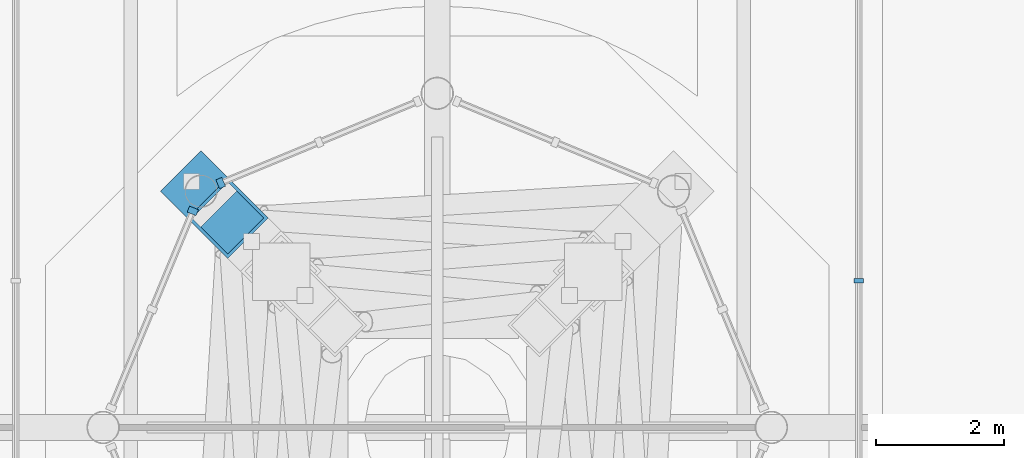
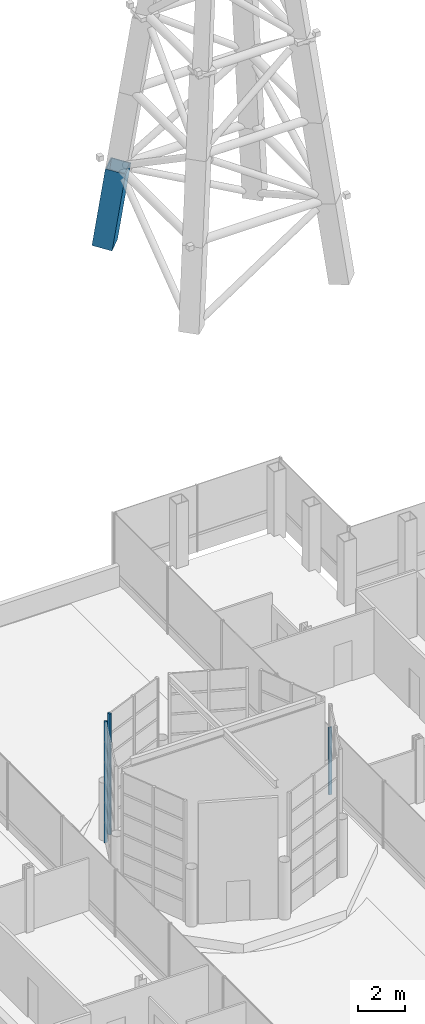
# One storey, part 16 of 32: 4 members, 3 elements without a shape of their own.
"""IFC4 building model written with IfcOpenShell, lengths in metres."""

from ifc_helpers import new_model, si_unit, direction, frame, origin, origin_2d, place, context, subcontext, project, spatial, rectangle, hollow_rectangle, extrude, material, material_profile, profile_set, type_object, element, aggregate, save


model = new_model("IFC4")

# Units and contexts
model_context = context("Model", 3, precision=1e-05, world=origin(), true_north=direction((0.0, 1.0)))
body_context = subcontext(model_context, "Body", "Model", "MODEL_VIEW")
ifc_project = project(units=[si_unit("LENGTHUNIT", "METRE"), si_unit("AREAUNIT", "SQUARE_METRE"), si_unit("VOLUMEUNIT", "CUBIC_METRE"), si_unit("PLANEANGLEUNIT", "RADIAN"), si_unit("MASSUNIT", "GRAM", prefix="KILO")], contexts=[model_context])

# Site, building, storey
site_placement = place(None, origin())
site = spatial("IfcSite", under=ifc_project, at=site_placement, CompositionType="ELEMENT")
building_placement = place(site_placement, origin())
building = spatial("IfcBuilding", under=site, at=building_placement, Name="Cobrizo Arcos Hotel Tower", CompositionType="ELEMENT")
storey_placement = place(building_placement, frame((0.0, 0.0, 265.5)))
storey = spatial("IfcBuildingStorey", under=building, at=storey_placement, Name="L70", CompositionType="ELEMENT", Elevation=265.5)

# Curtain wall, member
ifc_material_1 = material(Name="Aluminium 6063-T6 anodised bronze", Category="aluminium")
curtain_wall_type_1 = type_object("IfcCurtainWallType", Name="CW-C arch infill and crown glazing", PredefinedType="NOTDEFINED", material=ifc_material_1)
curtain_wall_1_placement = place(storey_placement, origin())
curtain_wall_1 = element("IfcCurtainWall", 1, at=curtain_wall_1_placement, inside=storey, type_object=curtain_wall_type_1, Name="CW-C L70 W face", PredefinedType="NOTDEFINED")
ifc_material_profile_1 = material_profile(ifc_material_1, rectangle(XDim=0.14990234375, YDim=0.070068359375, at=origin_2d()), Name="CW-C mullion 150x70")
ifc_profile_set_1 = profile_set([ifc_material_profile_1], Name="Aluminium 6063-T6 anodised bronze")
member_type_1 = type_object("IfcMemberType", Name="CW-C mullion 150x70", PredefinedType="MULLION", material=ifc_profile_set_1)
member_1_placement = place(storey_placement, frame((6.59912109375, 2.300048828125, 0.0), z_axis=(0.0, 0.0, 1.0), x_axis=(-1.0, 0.0, 0.0)))
member_1 = element("IfcMember", 2, at=member_1_placement, type_object=member_type_1, Name="CW-C mullion 5", PredefinedType="MULLION", context=body_context, shape_type="SweptSolid", body=[
    extrude(rectangle(XDim=0.14990234375, YDim=0.070068359375, at=origin_2d()), origin(), (0.0, 0.0, 1.0), 3.5),
])
aggregate(curtain_wall_1, [member_1])

curtain_wall_type_2 = type_object("IfcCurtainWallType", Name="CW-D plant louvre wall", PredefinedType="NOTDEFINED", material=ifc_material_1)
curtain_wall_2_placement = place(storey_placement, origin())
curtain_wall_2 = element("IfcCurtainWall", 3, at=curtain_wall_2_placement, inside=storey, type_object=curtain_wall_type_2, Name="CW-D drum louvre wall 3", PredefinedType="NOTDEFINED")
ifc_material_profile_2 = material_profile(ifc_material_1, rectangle(XDim=0.14990234375, YDim=0.10009765625, at=origin_2d()), Name="CW-D mullion 150x100")
ifc_profile_set_2 = profile_set([ifc_material_profile_2], Name="Aluminium 6063-T6 anodised bronze")
member_type_2 = type_object("IfcMemberType", Name="CW-D mullion 150x100", PredefinedType="MULLION", material=ifc_profile_set_2)
member_2_placement = place(storey_placement, frame((-3.391357421875, 3.827880859375, 0.5), z_axis=(0.0, 0.0, 1.0), x_axis=(-0.382683432365, 0.923879532511, 0.0)))
member_2 = element("IfcMember", 4, at=member_2_placement, type_object=member_type_2, Name="CW-D mullion 3", PredefinedType="MULLION", context=body_context, shape_type="SweptSolid", body=[
    extrude(rectangle(XDim=0.14990234375, YDim=0.10009765625, at=origin_2d()), origin(), (0.0, 0.0, 1.0), 6.300048828125),
])
aggregate(curtain_wall_2, [member_2])

curtain_wall_3_placement = place(storey_placement, origin())
curtain_wall_3 = element("IfcCurtainWall", 5, at=curtain_wall_3_placement, inside=storey, type_object=curtain_wall_type_2, Name="CW-D drum louvre wall 4", PredefinedType="NOTDEFINED")
member_3_placement = place(storey_placement, frame((-3.827880859375, 3.391357421875, 0.5), z_axis=(0.0, 0.0, 1.0), x_axis=(-0.923879532511, 0.382683432365, 0.0)))
member_3 = element("IfcMember", 6, at=member_3_placement, type_object=member_type_2, Name="CW-D mullion 1", PredefinedType="MULLION", context=body_context, shape_type="SweptSolid", body=[
    extrude(rectangle(XDim=0.14990234375, YDim=0.10009765625, at=origin_2d()), origin(), (0.0, 0.0, 1.0), 6.300048828125),
])
aggregate(curtain_wall_3, [member_3])

# Member
ifc_material_2 = material(Name="Steel ASTM A572 Grade 50", Category="steel")
ifc_material_profile_3 = material_profile(ifc_material_2, hollow_rectangle(XDim=0.89990234375, YDim=0.89990234375, WallThickness=0.050048828125, at=origin_2d()), Name="BOX 900X900X50")
ifc_profile_set_3 = profile_set([ifc_material_profile_3], Name="Steel ASTM A572 Grade 50")
member_type_3 = type_object("IfcMemberType", Name="MAST leg BOX 900X900X50", PredefinedType="CHORD", material=ifc_profile_set_3)
member_4_placement = place(storey_placement, frame((-3.699951171875, 3.699951171875, 31.5), z_axis=(0.101359849485, -0.101359849485, 0.98967285596), x_axis=(0.707106781187, 0.707106781187, 0.0)))
element("IfcMember", 7, at=member_4_placement, inside=storey, type_object=member_type_3, Name="MAST leg NW stage 1", PredefinedType="CHORD", context=body_context, shape_type="SweptSolid", body=[
    extrude(hollow_rectangle(XDim=0.89990234375, YDim=0.89990234375, WallThickness=0.050048828125, at=origin_2d()), origin(), (0.0, 0.0, 1.0), 4.142822265625),
])

save(model, "model.ifc")
